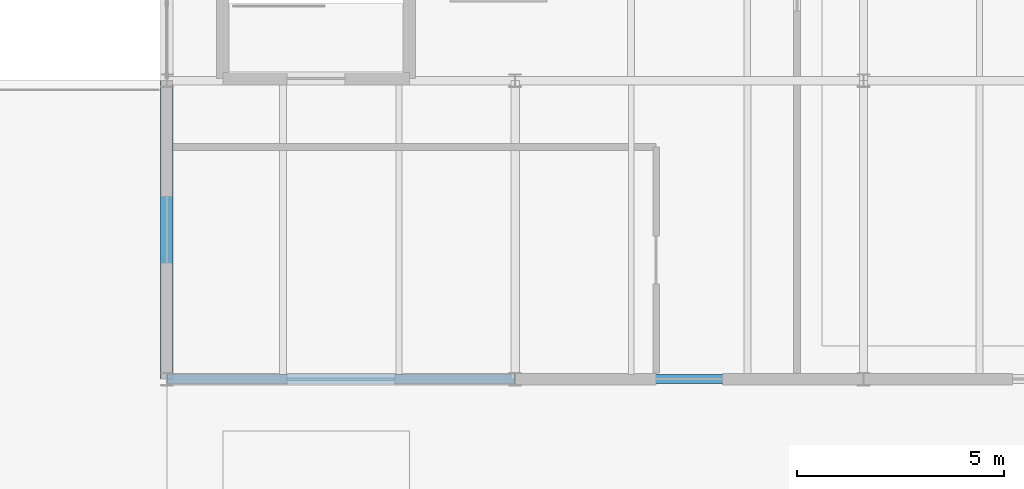
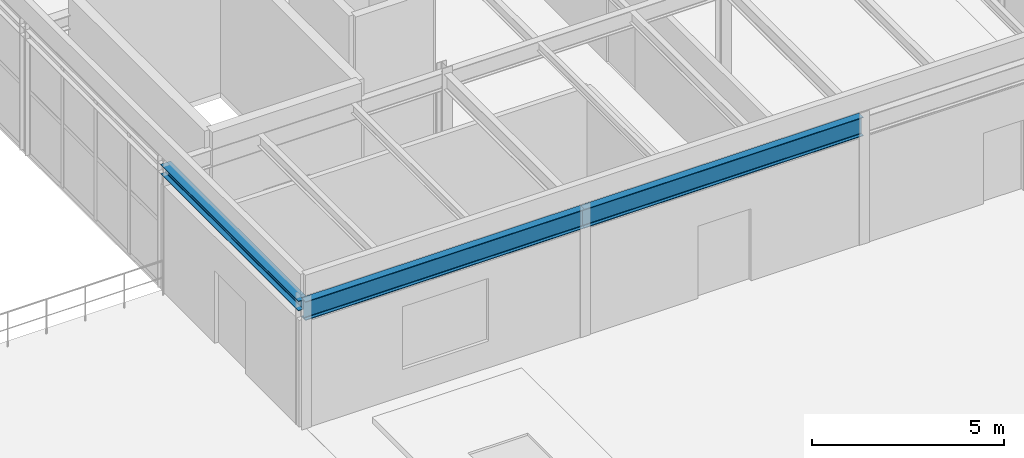
# One storey, part 54 of 77: 3 beams.
"""IFC4 building model written with IfcOpenShell, lengths in metres."""

from ifc_helpers import new_model, si_unit, derived_unit, direction, frame, origin, origin_2d, place, context, subcontext, project, spatial, i_section, extrude, material, material_profile, profile_set, type_object, element, save


model = new_model("IFC4")

# Units and contexts
model_context = context("Model", 3, precision=1e-05, world=origin(), true_north=direction((0.0, 1.0)))
body_context = subcontext(model_context, "Body", "Model", "MODEL_VIEW")
ifc_project = project(units=[si_unit("LENGTHUNIT", "METRE"), si_unit("AREAUNIT", "SQUARE_METRE"), si_unit("VOLUMEUNIT", "CUBIC_METRE"), si_unit("PLANEANGLEUNIT", "RADIAN"), si_unit("MASSUNIT", "GRAM", prefix="KILO"), derived_unit("THERMALTRANSMITTANCEUNIT", [(si_unit("MASSUNIT", "GRAM", prefix="KILO"), 1), (si_unit("TIMEUNIT", "SECOND"), -3), (si_unit("THERMODYNAMICTEMPERATUREUNIT", "KELVIN"), -1)])], contexts=[model_context])

# Site, building, storey
site_placement = place(None, origin())
site = spatial("IfcSite", under=ifc_project, at=site_placement, CompositionType="ELEMENT")
building_placement = place(site_placement, origin())
building = spatial("IfcBuilding", under=site, at=building_placement, Name="Kharveza Railside Sports Centre", CompositionType="ELEMENT")
storey_placement = place(building_placement, frame((0.0, 0.0, 17.10009765625)))
storey = spatial("IfcBuildingStorey", under=building, at=storey_placement, Name="L04", CompositionType="ELEMENT", Elevation=17.10009765625)

# Beams
ifc_material = material(Name="Steel S355J2", Category="steel")
ifc_material_profile_1 = material_profile(ifc_material, i_section(OverallWidth=0.219970703125, OverallDepth=0.60009765625, WebThickness=0.011962890625, FlangeThickness=0.01904296875, FilletRadius=0.02392578125, at=origin_2d()), Name="IPE 600")
ifc_profile_set_1 = profile_set([ifc_material_profile_1], Name="Steel S355J2")
beam_type_1 = type_object("IfcBeamType", Name="BM-G01", PredefinedType="T_BEAM", material=ifc_profile_set_1)
beam_1_placement = place(storey_placement, frame((142.800048828125, 28.800048828125, 3.7099609375), z_axis=(1.0, 0.0, 0.0), x_axis=(0.0, 1.0, 0.0)))
element("IfcBeam", 1, at=beam_1_placement, inside=storey, type_object=beam_type_1, Name="BM-EW-L04-B01-X1428-Y288", PredefinedType="T_BEAM", context=body_context, shape_type="SweptSolid", body=[
    extrude(i_section(OverallWidth=0.219970703125, OverallDepth=0.60009765625, WebThickness=0.011962890625, FlangeThickness=0.01904296875, FilletRadius=0.02392578125, at=origin_2d()), origin(), (0.0, 0.0, 1.0), 8.39990234375),
])
beam_2_placement = place(storey_placement, frame((151.199951171875, 28.800048828125, 3.7099609375), z_axis=(1.0, 0.0, 0.0), x_axis=(0.0, 1.0, 0.0)))
element("IfcBeam", 2, at=beam_2_placement, inside=storey, type_object=beam_type_1, Name="BM-EW-L04-B01-X1512-Y288", PredefinedType="T_BEAM", context=body_context, shape_type="SweptSolid", body=[
    extrude(i_section(OverallWidth=0.219970703125, OverallDepth=0.60009765625, WebThickness=0.011962890625, FlangeThickness=0.01904296875, FilletRadius=0.02392578125, at=origin_2d()), origin(), (0.0, 0.0, 1.0), 8.400146484375),
])
ifc_material_profile_2 = material_profile(ifc_material, i_section(OverallWidth=0.300048828125, OverallDepth=0.31005859375, WebThickness=0.009033203125, FlangeThickness=0.015380859375, FilletRadius=0.027099609375, at=origin_2d()), Name="HEA 320")
ifc_profile_set_2 = profile_set([ifc_material_profile_2], Name="Steel S355J2")
beam_type_2 = type_object("IfcBeamType", Name="BM-S06", PredefinedType="BEAM", material=ifc_profile_set_2)
beam_3_placement = place(storey_placement, frame((142.800048828125, 28.800048828125, 3.85498046875), z_axis=(0.0, 1.0, 0.0), x_axis=(-1.0, 0.0, 0.0)))
element("IfcBeam", 3, at=beam_3_placement, inside=storey, type_object=beam_type_2, Name="BM-NS-L04-B14-X1428-Y288", PredefinedType="BEAM", context=body_context, shape_type="SweptSolid", body=[
    extrude(i_section(OverallWidth=0.300048828125, OverallDepth=0.31005859375, WebThickness=0.009033203125, FlangeThickness=0.015380859375, FilletRadius=0.027099609375, at=origin_2d()), origin(), (0.0, 0.0, 1.0), 7.199951171875),
])

save(model, "model.ifc")
